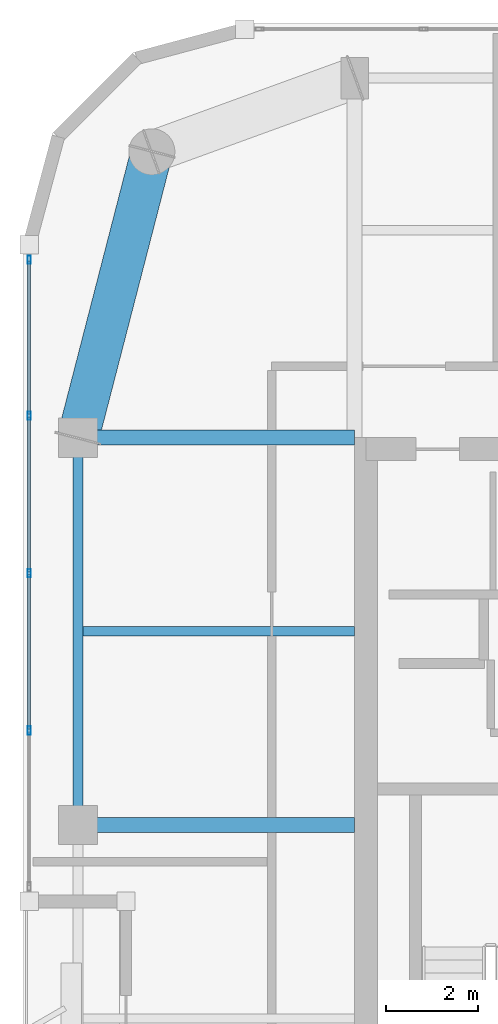
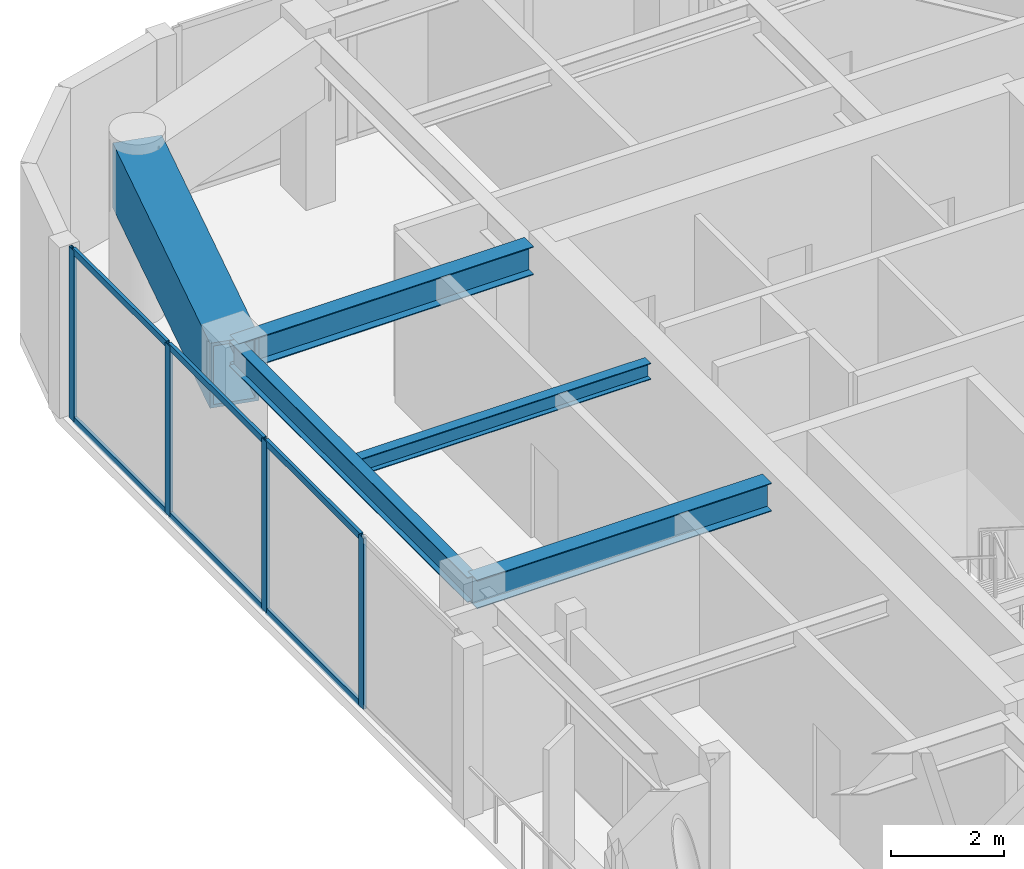
# One storey, part 4 of 16: 10 members, 5 beams, 1 element without a shape of its own.
"""IFC4 building model written with IfcOpenShell, lengths in metres."""

from ifc_helpers import new_model, si_unit, direction, frame, origin, origin_2d, place, context, subcontext, project, spatial, hollow_rectangle, i_section, extrude, material, layer, layer_set, material_profile, profile_set, type_object, element, aggregate, save


model = new_model("IFC4")

# Units and contexts
model_context = context("Model", 3, precision=1e-05, world=origin(), true_north=direction((0.0, 1.0)))
body_context = subcontext(model_context, "Body", "Model", "MODEL_VIEW")
ifc_project = project(units=[si_unit("LENGTHUNIT", "METRE"), si_unit("AREAUNIT", "SQUARE_METRE"), si_unit("VOLUMEUNIT", "CUBIC_METRE"), si_unit("PLANEANGLEUNIT", "RADIAN"), si_unit("MASSUNIT", "GRAM", prefix="KILO")], contexts=[model_context])

# Site, building, storey
site_placement = place(None, origin())
site = spatial("IfcSite", under=ifc_project, at=site_placement, CompositionType="ELEMENT")
building_placement = place(site_placement, origin())
building = spatial("IfcBuilding", under=site, at=building_placement, Name="Kiyonajd Concourse Tower", CompositionType="ELEMENT")
storey_placement = place(building_placement, frame((0.0, 0.0, 333.60009765625)))
storey = spatial("IfcBuildingStorey", under=building, at=storey_placement, Name="L84", CompositionType="ELEMENT", Elevation=333.60009765625)

# Beams
ifc_material_1 = material(Name="Steel ASTM A992 Grade 50", Category="steel")
ifc_material_profile_1 = material_profile(ifc_material_1, i_section(OverallWidth=0.205078125, OverallDepth=0.35400390625, WebThickness=0.009521484375, FlangeThickness=0.016845703125, at=origin_2d()), Name="W360X79")
ifc_profile_set_1 = profile_set([ifc_material_profile_1], Name="Steel ASTM A992 Grade 50")
beam_type_1 = type_object("IfcBeamType", Name="BM-JST-360", PredefinedType="JOIST", material=ifc_profile_set_1)
beam_1_placement = place(storey_placement, frame((26.505615234375, 40.199951171875, 3.5029296875), z_axis=(1.0, 0.0, 0.0), x_axis=(0.0, 1.0, 0.0)))
element("IfcBeam", 1, at=beam_1_placement, inside=storey, type_object=beam_type_1, Name="L84 West Secondary Floor Joist", PredefinedType="JOIST", context=body_context, shape_type="SweptSolid", body=[
    extrude(i_section(OverallWidth=0.205078125, OverallDepth=0.35400390625, WebThickness=0.009521484375, FlangeThickness=0.016845703125, at=origin_2d()), origin(), (0.0, 0.0, 1.0), 5.894287109375),
])
ifc_material_profile_2 = material_profile(ifc_material_1, i_section(OverallWidth=0.2109375, OverallDepth=0.5390625, WebThickness=0.01171875, FlangeThickness=0.018798828125, at=origin_2d()), Name="W530X109")
ifc_profile_set_2 = profile_set([ifc_material_profile_2], Name="Steel ASTM A992 Grade 50")
beam_type_2 = type_object("IfcBeamType", Name="BM-SPAN-530B", PredefinedType="SPANDREL", material=ifc_profile_set_2)
beam_2_placement = place(storey_placement, frame((26.39990234375, 44.39990234375, 3.410400390625), z_axis=(0.0, -1.0, 0.0), x_axis=(1.0, 0.0, 0.0)))
element("IfcBeam", 2, at=beam_2_placement, inside=storey, type_object=beam_type_2, Name="L84 Perimeter Bundled Tube Spandrel", PredefinedType="SPANDREL", context=body_context, shape_type="SweptSolid", body=[
    extrude(i_section(OverallWidth=0.2109375, OverallDepth=0.5390625, WebThickness=0.01171875, FlangeThickness=0.018798828125, at=origin_2d()), origin(), (0.0, 0.0, 1.0), 8.39990234375),
])
ifc_material_profile_3 = material_profile(ifc_material_1, i_section(OverallWidth=0.323974609375, OverallDepth=0.611083984375, WebThickness=0.0126953125, FlangeThickness=0.01904296875, at=origin_2d()), Name="W610X155")
ifc_profile_set_3 = profile_set([ifc_material_profile_3], Name="Steel ASTM A992 Grade 50")
beam_type_3 = type_object("IfcBeamType", Name="BM-TWR-610B", PredefinedType="BEAM", material=ifc_profile_set_3)
for number, where, z_axis, x_axis, name in (
    (3, (26.39990234375, 36.0, 3.37451171875), (1.0, 0.0, 0.0), (0.0, 1.0, 0.0), "L84 West Lease Girder"),
    (4, (26.39990234375, 44.39990234375, 3.37451171875), (1.0, 0.0, 0.0), (0.0, 1.0, 0.0), "L84 West Lease Girder"),
):
    element("IfcBeam", number, at=place(storey_placement, frame(where, z_axis=z_axis, x_axis=x_axis)), inside=storey, type_object=beam_type_3, Name=name, PredefinedType="BEAM", context=body_context, shape_type="SweptSolid", body=[
        extrude(i_section(OverallWidth=0.323974609375, OverallDepth=0.611083984375, WebThickness=0.0126953125, FlangeThickness=0.01904296875, at=origin_2d()), origin(), (0.0, 0.0, 1.0), 6.0),
    ])
ifc_material_2 = material(Name="Steel ASTM A572 Grade 50", Category="steel")
ifc_material_profile_4 = material_profile(ifc_material_2, hollow_rectangle(XDim=0.89990234375, YDim=1.39990234375, WallThickness=0.070068359375, at=origin_2d()), Name="BOX-1400x900x70")
ifc_profile_set_4 = profile_set([ifc_material_profile_4], Name="Steel ASTM A572 Grade 50")
beam_type_4 = type_object("IfcBeamType", Name="BM-XFER-1400", PredefinedType="BEAM", material=ifc_profile_set_4)
beam_3_placement = place(storey_placement, frame((28.0, 50.60009765625, 2.97998046875), z_axis=(-0.249884937687, -0.968275538221, 0.0), x_axis=(0.968275538221, -0.249884937687, 0.0)))
element("IfcBeam", 5, at=beam_3_placement, inside=storey, type_object=beam_type_4, Name="L84 Perimeter Bundled Tube Spandrel", PredefinedType="BEAM", context=body_context, shape_type="SweptSolid", body=[
    extrude(hollow_rectangle(XDim=0.89990234375, YDim=1.39990234375, WallThickness=0.070068359375, at=origin_2d()), origin(), (0.0, 0.0, 1.0), 6.4033203125),
])

# Curtain wall, members
ifc_material_3 = material(Name="Thermally Broken Anodised Aluminium", Category="aluminium")
ifc_layer = layer(ifc_material_3, 0.179931640625)
ifc_layer_set = layer_set([ifc_layer], Name="Thermally Broken Anodised Aluminium")
curtain_wall_type = type_object("IfcCurtainWallType", Name="CW-SYS-04", PredefinedType="NOTDEFINED", material=ifc_layer_set)
curtain_wall_placement = place(storey_placement, origin())
curtain_wall = element("IfcCurtainWall", 6, at=curtain_wall_placement, inside=storey, type_object=curtain_wall_type, Name="L84 Unitised Curtain Wall CW4", PredefinedType="NOTDEFINED")
ifc_material_profile_5 = material_profile(ifc_material_3, hollow_rectangle(XDim=0.06494140625, YDim=0.179931640625, WallThickness=0.00390625, at=origin_2d()), Name="MULL-65x180")
ifc_profile_set_5 = profile_set([ifc_material_profile_5], Name="Thermally Broken Anodised Aluminium")
member_type_1 = type_object("IfcMemberType", Name="MB-CW-MULL1", PredefinedType="MULLION", material=ifc_profile_set_5)
member_1_placement = place(storey_placement, frame((25.340087890625, 38.04541015625, 0.0), z_axis=(0.0, 0.0, 1.0), x_axis=(-1.0, 0.0, 0.0)))
member_1 = element("IfcMember", 7, at=member_1_placement, type_object=member_type_1, Name="CW4 mullion 2", PredefinedType="MULLION", context=body_context, shape_type="SweptSolid", body=[
    extrude(hollow_rectangle(XDim=0.06494140625, YDim=0.179931640625, WallThickness=0.00390625, at=origin_2d()), origin(), (0.0, 0.0, 1.0), 3.679931640625),
])
member_2_placement = place(storey_placement, frame((25.340087890625, 41.460693359375, 0.0), z_axis=(0.0, 0.0, 1.0), x_axis=(-1.0, 0.0, 0.0)))
member_2 = element("IfcMember", 8, at=member_2_placement, type_object=member_type_1, Name="CW4 mullion 3", PredefinedType="MULLION", context=body_context, shape_type="SweptSolid", body=[
    extrude(hollow_rectangle(XDim=0.06494140625, YDim=0.179931640625, WallThickness=0.00390625, at=origin_2d()), origin(), (0.0, 0.0, 1.0), 3.679931640625),
])
member_3_placement = place(storey_placement, frame((25.340087890625, 44.876220703125, 0.0), z_axis=(0.0, 0.0, 1.0), x_axis=(-1.0, 0.0, 0.0)))
member_3 = element("IfcMember", 9, at=member_3_placement, type_object=member_type_1, Name="CW4 mullion 4", PredefinedType="MULLION", context=body_context, shape_type="SweptSolid", body=[
    extrude(hollow_rectangle(XDim=0.06494140625, YDim=0.179931640625, WallThickness=0.00390625, at=origin_2d()), origin(), (0.0, 0.0, 1.0), 3.679931640625),
])
member_4_placement = place(storey_placement, frame((25.340087890625, 48.259033203125, 0.0), z_axis=(0.0, 0.0, 1.0), x_axis=(-1.0, 0.0, 0.0)))
member_4 = element("IfcMember", 10, at=member_4_placement, type_object=member_type_1, Name="CW4 mullion 5", PredefinedType="MULLION", context=body_context, shape_type="SweptSolid", body=[
    extrude(hollow_rectangle(XDim=0.06494140625, YDim=0.179931640625, WallThickness=0.00390625, at=origin_2d()), origin(), (0.0, 0.0, 1.0), 3.679931640625),
])
ifc_material_profile_6 = material_profile(ifc_material_3, hollow_rectangle(XDim=0.06494140625, YDim=0.139892578125, WallThickness=0.00390625, at=origin_2d()), Name="TRAN-65x140")
ifc_profile_set_6 = profile_set([ifc_material_profile_6], Name="Thermally Broken Anodised Aluminium")
member_type_2 = type_object("IfcMemberType", Name="MB-CW-TRAN1", PredefinedType="USERDEFINED", material=ifc_profile_set_6)
member_5_placement = place(storey_placement, frame((25.340087890625, 38.077880859375, 0.032470703125), z_axis=(0.0, 1.0, 0.0), x_axis=(-1.0, 0.0, 0.0)))
member_5 = element("IfcMember", 11, at=member_5_placement, type_object=member_type_2, Name="CW4 transom 2.1", ObjectType="TRANSOM", PredefinedType="USERDEFINED", context=body_context, shape_type="SweptSolid", body=[
    extrude(hollow_rectangle(XDim=0.06494140625, YDim=0.139892578125, WallThickness=0.00390625, at=origin_2d()), origin(), (0.0, 0.0, 1.0), 3.350341796875),
])
member_6_placement = place(storey_placement, frame((25.340087890625, 38.077880859375, 3.6474609375), z_axis=(0.0, 1.0, 0.0), x_axis=(-1.0, 0.0, 0.0)))
member_6 = element("IfcMember", 12, at=member_6_placement, type_object=member_type_2, Name="CW4 transom 2.2", ObjectType="TRANSOM", PredefinedType="USERDEFINED", context=body_context, shape_type="SweptSolid", body=[
    extrude(hollow_rectangle(XDim=0.06494140625, YDim=0.139892578125, WallThickness=0.00390625, at=origin_2d()), origin(), (0.0, 0.0, 1.0), 3.350341796875),
])
member_7_placement = place(storey_placement, frame((25.340087890625, 41.493408203125, 0.032470703125), z_axis=(0.0, 1.0, 0.0), x_axis=(-1.0, 0.0, 0.0)))
member_7 = element("IfcMember", 13, at=member_7_placement, type_object=member_type_2, Name="CW4 transom 3.1", ObjectType="TRANSOM", PredefinedType="USERDEFINED", context=body_context, shape_type="SweptSolid", body=[
    extrude(hollow_rectangle(XDim=0.06494140625, YDim=0.139892578125, WallThickness=0.00390625, at=origin_2d()), origin(), (0.0, 0.0, 1.0), 3.350341796875),
])
member_8_placement = place(storey_placement, frame((25.340087890625, 41.493408203125, 3.6474609375), z_axis=(0.0, 1.0, 0.0), x_axis=(-1.0, 0.0, 0.0)))
member_8 = element("IfcMember", 14, at=member_8_placement, type_object=member_type_2, Name="CW4 transom 3.2", ObjectType="TRANSOM", PredefinedType="USERDEFINED", context=body_context, shape_type="SweptSolid", body=[
    extrude(hollow_rectangle(XDim=0.06494140625, YDim=0.139892578125, WallThickness=0.00390625, at=origin_2d()), origin(), (0.0, 0.0, 1.0), 3.350341796875),
])
member_9_placement = place(storey_placement, frame((25.340087890625, 44.90869140625, 0.032470703125), z_axis=(0.0, 1.0, 0.0), x_axis=(-1.0, 0.0, 0.0)))
member_9 = element("IfcMember", 15, at=member_9_placement, type_object=member_type_2, Name="CW4 transom 4.1", ObjectType="TRANSOM", PredefinedType="USERDEFINED", context=body_context, shape_type="SweptSolid", body=[
    extrude(hollow_rectangle(XDim=0.06494140625, YDim=0.139892578125, WallThickness=0.00390625, at=origin_2d()), origin(), (0.0, 0.0, 1.0), 3.31787109375),
])
member_10_placement = place(storey_placement, frame((25.340087890625, 44.90869140625, 3.6474609375), z_axis=(0.0, 1.0, 0.0), x_axis=(-1.0, 0.0, 0.0)))
member_10 = element("IfcMember", 16, at=member_10_placement, type_object=member_type_2, Name="CW4 transom 4.2", ObjectType="TRANSOM", PredefinedType="USERDEFINED", context=body_context, shape_type="SweptSolid", body=[
    extrude(hollow_rectangle(XDim=0.06494140625, YDim=0.139892578125, WallThickness=0.00390625, at=origin_2d()), origin(), (0.0, 0.0, 1.0), 3.31787109375),
])
aggregate(curtain_wall, [member_1, member_2, member_3, member_4, member_5, member_6, member_7, member_8, member_9, member_10])

save(model, "model.ifc")
